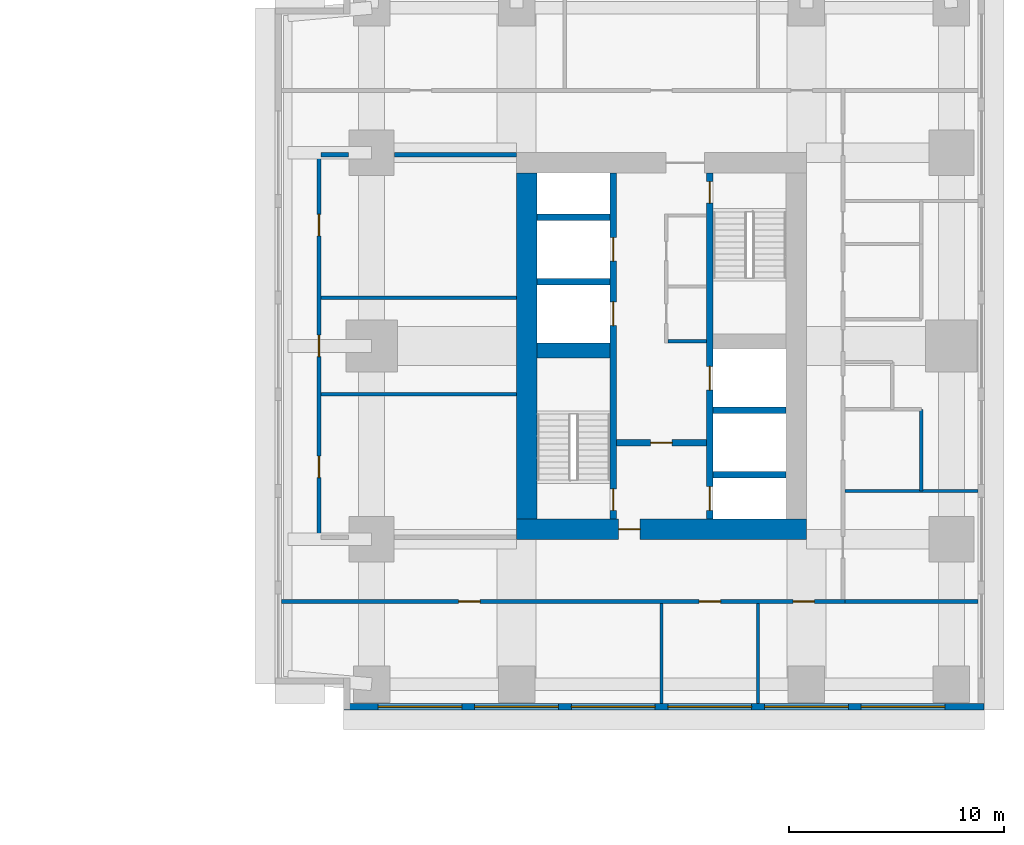
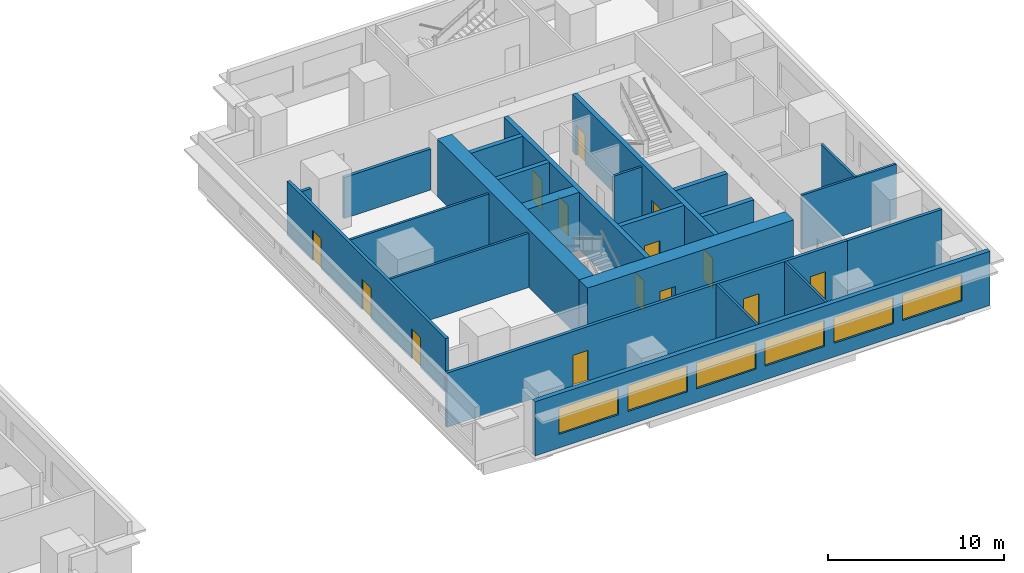
# One storey, part 6 of 11: 23 walls, 14 doors, 6 windows, 20 openings.
"""IFC4 building model written with IfcOpenShell, lengths in metres."""

from ifc_helpers import new_model, si_unit, direction, frame, frame_2d, origin, place, context, subcontext, project, spatial, rectangle, extrude, material, layer, layer_set, type_object, element, fill, save


model = new_model("IFC4")

# Units and contexts
model_context = context("Model", 3, precision=1e-05, world=origin(), true_north=direction((0.0, 1.0)))
body_context = subcontext(model_context, "Body", "Model", "MODEL_VIEW")
ifc_project = project(units=[si_unit("LENGTHUNIT", "METRE"), si_unit("AREAUNIT", "SQUARE_METRE"), si_unit("VOLUMEUNIT", "CUBIC_METRE"), si_unit("PLANEANGLEUNIT", "RADIAN"), si_unit("MASSUNIT", "GRAM", prefix="KILO")], contexts=[model_context])

# Site, building, storey
site_placement = place(None, origin())
site = spatial("IfcSite", under=ifc_project, at=site_placement, CompositionType="ELEMENT")
building_placement = place(site_placement, origin())
building = spatial("IfcBuilding", under=site, at=building_placement, Name="Namib Vertical Campus", CompositionType="ELEMENT")
storey_placement = place(building_placement, frame((0.0, 0.0, 97.0)))
storey = spatial("IfcBuildingStorey", under=building, at=storey_placement, Name="L22", CompositionType="ELEMENT", Elevation=97.0)

# Wall, openings, doors
ifc_material_1 = material(Name="Concrete C60/75", Category="concrete")
ifc_layer_1 = layer(ifc_material_1, 0.300048828125)
ifc_layer_set_1 = layer_set([ifc_layer_1], Name="Concrete C60/75")
wall_type_1 = type_object("IfcWallType", Name="Core inner wall 300", PredefinedType="SHEAR", material=ifc_layer_set_1)
wall_1_placement = place(storey_placement, frame((78.75, 12.199951171875, 0.0), z_axis=(0.0, 0.0, 1.0), x_axis=(0.0, 1.0, 0.0)))
wall_1 = element("IfcWall", 1, at=wall_1_placement, inside=storey, type_object=wall_type_1, Name="Core inner wall B L22 W1", PredefinedType="SHEAR", context=body_context, shape_type="SweptSolid", body=[
    extrude(rectangle(XDim=16.10009765625, YDim=0.300048828125, at=frame_2d((8.050048828125, 0.0))), origin(), (0.0, 0.0, 1.0), 4.0),
])
opening_1_placement = place(wall_1_placement, frame((0.39990234375, 0.0, 0.0)))
opening_1 = element("IfcOpeningElement", 2, at=opening_1_placement, cuts=wall_1, Name="Opening FD1", PredefinedType="OPENING", context=body_context, shape_type="SweptSolid", body=[
    extrude(rectangle(XDim=1.0, YDim=2.10009765625, at=frame_2d((0.5, 1.050048828125))), frame((0.0, 0.159912109375, 0.0), z_axis=(0.0, -1.0, 0.0), x_axis=(1.0, 0.0, 0.0)), (0.0, 0.0, 1.0), 0.320068359375),
])
opening_2_placement = place(wall_1_placement, frame((9.0, 0.0, 0.0)))
opening_2 = element("IfcOpeningElement", 3, at=opening_2_placement, cuts=wall_1, Name="Opening LD1", PredefinedType="OPENING", context=body_context, shape_type="SweptSolid", body=[
    extrude(rectangle(XDim=1.10009765625, YDim=2.10009765625, at=frame_2d((0.550048828125, 1.050048828125))), frame((0.0, 0.159912109375, 0.0), z_axis=(0.0, -1.0, 0.0), x_axis=(1.0, 0.0, 0.0)), (0.0, 0.0, 1.0), 0.320068359375),
])
opening_3_placement = place(wall_1_placement, frame((12.0, 0.0, 0.0)))
opening_3 = element("IfcOpeningElement", 4, at=opening_3_placement, cuts=wall_1, Name="Opening LD1", PredefinedType="OPENING", context=body_context, shape_type="SweptSolid", body=[
    extrude(rectangle(XDim=1.10009765625, YDim=2.10009765625, at=frame_2d((0.550048828125, 1.050048828125))), frame((0.0, 0.159912109375, 0.0), z_axis=(0.0, -1.0, 0.0), x_axis=(1.0, 0.0, 0.0)), (0.0, 0.0, 1.0), 0.320068359375),
])
ifc_material_2 = material(Name="Steel fire door", Category="steel")
door_type_1 = type_object("IfcDoorType", Name="Fire door 1000x2100", OperationType="SINGLE_SWING_RIGHT", PredefinedType="DOOR", material=ifc_material_2)
door_1_placement = place(opening_1_placement, origin())
door_1 = element("IfcDoor", 5, at=door_1_placement, inside=storey, type_object=door_type_1, Name="Stair door FD1 B L22 S1", OperationType="SINGLE_SWING_LEFT", OverallHeight=2.10009765625, OverallWidth=1.0, PredefinedType="DOOR", context=body_context, shape_type="SweptSolid", body=[
    extrude(rectangle(XDim=1.0, YDim=2.10009765625, at=frame_2d((0.5, 1.050048828125))), frame((0.0, 0.02490234375, 0.0), z_axis=(0.0, -1.0, 0.0), x_axis=(1.0, 0.0, 0.0)), (0.0, 0.0, 1.0), 0.050048828125),
])
fill(opening_1, door_1)
ifc_material_3 = material(Name="Stainless steel lift door", Category="steel")
door_type_2 = type_object("IfcDoorType", Name="Lift landing door 1100x2100", OperationType="DOUBLE_DOOR_SLIDING", PredefinedType="DOOR", material=ifc_material_3)
door_2_placement = place(opening_2_placement, origin())
door_2 = element("IfcDoor", 6, at=door_2_placement, inside=storey, type_object=door_type_2, Name="Lift landing door LD1 B-P1 L22", OperationType="DOUBLE_DOOR_SLIDING", OverallHeight=2.10009765625, OverallWidth=1.10009765625, PredefinedType="DOOR", context=body_context, shape_type="SweptSolid", body=[
    extrude(rectangle(XDim=1.10009765625, YDim=2.10009765625, at=frame_2d((0.550048828125, 1.050048828125))), frame((0.0, 0.02490234375, 0.0), z_axis=(0.0, -1.0, 0.0), x_axis=(1.0, 0.0, 0.0)), (0.0, 0.0, 1.0), 0.050048828125),
])
fill(opening_2, door_2)
door_3_placement = place(opening_3_placement, origin())
door_3 = element("IfcDoor", 7, at=door_3_placement, inside=storey, type_object=door_type_2, Name="Lift landing door LD1 B-P2 L22", OperationType="DOUBLE_DOOR_SLIDING", OverallHeight=2.10009765625, OverallWidth=1.10009765625, PredefinedType="DOOR", context=body_context, shape_type="SweptSolid", body=[
    extrude(rectangle(XDim=1.10009765625, YDim=2.10009765625, at=frame_2d((0.550048828125, 1.050048828125))), frame((0.0, 0.02490234375, 0.0), z_axis=(0.0, -1.0, 0.0), x_axis=(1.0, 0.0, 0.0)), (0.0, 0.0, 1.0), 0.050048828125),
])
fill(opening_3, door_3)

wall_2_placement = place(storey_placement, frame((83.25, 12.199951171875, 0.0), z_axis=(0.0, 0.0, 1.0), x_axis=(0.0, 1.0, 0.0)))
wall_2 = element("IfcWall", 8, at=wall_2_placement, inside=storey, type_object=wall_type_1, Name="Core inner wall B L22 W2", PredefinedType="SHEAR", context=body_context, shape_type="SweptSolid", body=[
    extrude(rectangle(XDim=16.10009765625, YDim=0.300048828125, at=frame_2d((8.050048828125, 0.0))), origin(), (0.0, 0.0, 1.0), 4.0),
])
opening_4_placement = place(wall_2_placement, frame((14.699951171875, 0.0, 0.0)))
opening_4 = element("IfcOpeningElement", 9, at=opening_4_placement, cuts=wall_2, Name="Opening FD1", PredefinedType="OPENING", context=body_context, shape_type="SweptSolid", body=[
    extrude(rectangle(XDim=1.0, YDim=2.10009765625, at=frame_2d((0.5, 1.050048828125))), frame((0.0, 0.159912109375, 0.0), z_axis=(0.0, -1.0, 0.0), x_axis=(1.0, 0.0, 0.0)), (0.0, 0.0, 1.0), 0.320068359375),
])
opening_5_placement = place(wall_2_placement, frame((0.39990234375, 0.0, 0.0)))
opening_5 = element("IfcOpeningElement", 10, at=opening_5_placement, cuts=wall_2, Name="Opening LD1", PredefinedType="OPENING", context=body_context, shape_type="SweptSolid", body=[
    extrude(rectangle(XDim=1.10009765625, YDim=2.10009765625, at=frame_2d((0.550048828125, 1.050048828125))), frame((0.0, 0.159912109375, 0.0), z_axis=(0.0, -1.0, 0.0), x_axis=(1.0, 0.0, 0.0)), (0.0, 0.0, 1.0), 0.320068359375),
])
opening_6_placement = place(wall_2_placement, frame((6.0, 0.0, 0.0)))
opening_6 = element("IfcOpeningElement", 11, at=opening_6_placement, cuts=wall_2, Name="Opening LD1", PredefinedType="OPENING", context=body_context, shape_type="SweptSolid", body=[
    extrude(rectangle(XDim=1.10009765625, YDim=2.10009765625, at=frame_2d((0.550048828125, 1.050048828125))), frame((0.0, 0.159912109375, 0.0), z_axis=(0.0, -1.0, 0.0), x_axis=(1.0, 0.0, 0.0)), (0.0, 0.0, 1.0), 0.320068359375),
])
door_4_placement = place(opening_4_placement, frame((1.0, 0.0, 0.0), z_axis=(0.0, 0.0, 1.0), x_axis=(-1.0, 0.0, 0.0)))
door_4 = element("IfcDoor", 12, at=door_4_placement, inside=storey, type_object=door_type_1, Name="Stair door FD1 B L22 S2", OperationType="SINGLE_SWING_LEFT", OverallHeight=2.10009765625, OverallWidth=1.0, PredefinedType="DOOR", context=body_context, shape_type="SweptSolid", body=[
    extrude(rectangle(XDim=1.0, YDim=2.10009765625, at=frame_2d((0.5, 1.050048828125))), frame((0.0, 0.02490234375, 0.0), z_axis=(0.0, -1.0, 0.0), x_axis=(1.0, 0.0, 0.0)), (0.0, 0.0, 1.0), 0.050048828125),
])
fill(opening_4, door_4)
door_5_placement = place(opening_5_placement, origin())
door_5 = element("IfcDoor", 13, at=door_5_placement, inside=storey, type_object=door_type_2, Name="Lift landing door LD1 B-FL1 L22", OperationType="DOUBLE_DOOR_SLIDING", OverallHeight=2.10009765625, OverallWidth=1.10009765625, PredefinedType="DOOR", context=body_context, shape_type="SweptSolid", body=[
    extrude(rectangle(XDim=1.10009765625, YDim=2.10009765625, at=frame_2d((0.550048828125, 1.050048828125))), frame((0.0, 0.02490234375, 0.0), z_axis=(0.0, -1.0, 0.0), x_axis=(1.0, 0.0, 0.0)), (0.0, 0.0, 1.0), 0.050048828125),
])
fill(opening_5, door_5)
door_6_placement = place(opening_6_placement, origin())
door_6 = element("IfcDoor", 14, at=door_6_placement, inside=storey, type_object=door_type_2, Name="Lift landing door LD1 B-P5 L22", OperationType="DOUBLE_DOOR_SLIDING", OverallHeight=2.10009765625, OverallWidth=1.10009765625, PredefinedType="DOOR", context=body_context, shape_type="SweptSolid", body=[
    extrude(rectangle(XDim=1.10009765625, YDim=2.10009765625, at=frame_2d((0.550048828125, 1.050048828125))), frame((0.0, 0.02490234375, 0.0), z_axis=(0.0, -1.0, 0.0), x_axis=(1.0, 0.0, 0.0)), (0.0, 0.0, 1.0), 0.050048828125),
])
fill(opening_6, door_6)

# Wall, opening, door
wall_3_placement = place(storey_placement, frame((78.89990234375, 15.75, 0.0), z_axis=(0.0, 0.0, 1.0), x_axis=(1.0, 0.0, 0.0)))
wall_3 = element("IfcWall", 15, at=wall_3_placement, inside=storey, type_object=wall_type_1, Name="Core inner wall B L22 W4", PredefinedType="SHEAR", context=body_context, shape_type="SweptSolid", body=[
    extrude(rectangle(XDim=4.2001953125, YDim=0.300048828125, at=frame_2d((2.10009765625, 0.0))), origin(), (0.0, 0.0, 1.0), 4.0),
])
opening_7_placement = place(wall_3_placement, frame((1.60009765625, 0.0, 0.0)))
opening_7 = element("IfcOpeningElement", 16, at=opening_7_placement, cuts=wall_3, Name="Opening FD5", PredefinedType="OPENING", context=body_context, shape_type="SweptSolid", body=[
    extrude(rectangle(XDim=1.0, YDim=2.10009765625, at=frame_2d((0.5, 1.050048828125))), frame((0.0, 0.159912109375, 0.0), z_axis=(0.0, -1.0, 0.0), x_axis=(1.0, 0.0, 0.0)), (0.0, 0.0, 1.0), 0.320068359375),
])
ifc_material_4 = material(Name="Steel fire door", Category="steel")
door_type_3 = type_object("IfcDoorType", Name="Fire door 1000x2100 120 min", OperationType="SINGLE_SWING_RIGHT", PredefinedType="DOOR", material=ifc_material_4)
door_7_placement = place(opening_7_placement, frame((1.0, 0.0, 0.0), z_axis=(0.0, 0.0, 1.0), x_axis=(-1.0, 0.0, 0.0)))
door_7 = element("IfcDoor", 17, at=door_7_placement, inside=storey, type_object=door_type_3, Name="Lobby door FD5 B L22", OperationType="SINGLE_SWING_RIGHT", OverallHeight=2.10009765625, OverallWidth=1.0, PredefinedType="DOOR", context=body_context, shape_type="SweptSolid", body=[
    extrude(rectangle(XDim=1.0, YDim=2.10009765625, at=frame_2d((0.5, 1.050048828125))), frame((0.0, 0.02490234375, 0.0), z_axis=(0.0, -1.0, 0.0), x_axis=(1.0, 0.0, 0.0)), (0.0, 0.0, 1.0), 0.050048828125),
])
fill(opening_7, door_7)

# Walls
for number, where, z_axis, x_axis, name in (
    (18, (83.39990234375, 14.25, 0.0), (0.0, 0.0, 1.0), (1.0, 0.0, 0.0), "Core inner wall B L22 W5"),
    (19, (83.39990234375, 17.25, 0.0), (0.0, 0.0, 1.0), (1.0, 0.0, 0.0), "Core inner wall B L22 W6"),
    (20, (75.199951171875, 23.25, 0.0), (0.0, 0.0, 1.0), (1.0, 0.0, 0.0), "Core inner wall B L22 W8"),
    (21, (75.199951171875, 26.25, 0.0), (0.0, 0.0, 1.0), (1.0, 0.0, 0.0), "Core inner wall B L22 W9"),
):
    element("IfcWall", number, at=place(storey_placement, frame(where, z_axis=z_axis, x_axis=x_axis)), inside=storey, type_object=wall_type_1, Name=name, PredefinedType="SHEAR", context=body_context, shape_type="SweptSolid", body=[
        extrude(rectangle(XDim=3.400146484375, YDim=0.300048828125, at=frame_2d((1.7001953125, 0.0))), origin(), (0.0, 0.0, 1.0), 4.0),
    ])
ifc_material_5 = material(Name="Concrete C60/75", Category="concrete")
ifc_layer_2 = layer(ifc_material_5, 0.699951171875)
ifc_layer_set_2 = layer_set([ifc_layer_2], Name="Concrete C60/75")
wall_type_2 = type_object("IfcWallType", Name="Core shear wall 700", PredefinedType="SHEAR", material=ifc_layer_set_2)
wall_4_placement = place(storey_placement, frame((75.199951171875, 20.050048828125, 0.0), z_axis=(0.0, 0.0, 1.0), x_axis=(1.0, 0.0, 0.0)))
element("IfcWall", 22, at=wall_4_placement, inside=storey, type_object=wall_type_2, Name="Core shear wall B L22 W3", PredefinedType="SHEAR", context=body_context, shape_type="SweptSolid", body=[
    extrude(rectangle(XDim=3.400146484375, YDim=0.699951171875, at=frame_2d((1.7001953125, 0.0))), origin(), (0.0, 0.0, 1.0), 4.0),
])

# Wall, opening, door
ifc_material_6 = material(Name="Concrete C60/75", Category="concrete")
ifc_layer_3 = layer(ifc_material_6, 0.949951171875)
ifc_layer_set_3 = layer_set([ifc_layer_3], Name="Concrete C60/75")
wall_type_3 = type_object("IfcWallType", Name="Core wall 950", PredefinedType="SHEAR", material=ifc_layer_set_3)
wall_5_placement = place(storey_placement, frame((74.25, 11.72509765625, 0.0), z_axis=(0.0, 0.0, 1.0), x_axis=(1.0, 0.0, 0.0)))
wall_5 = element("IfcWall", 23, at=wall_5_placement, inside=storey, type_object=wall_type_3, Name="Core wall B L22 1", PredefinedType="SHEAR", context=body_context, shape_type="SweptSolid", body=[
    extrude(rectangle(XDim=13.5, YDim=0.949951171875, at=frame_2d((6.75, 0.0))), origin(), (0.0, 0.0, 1.0), 4.0),
])
opening_8_placement = place(wall_5_placement, frame((4.75, 0.0, 0.0)))
opening_8 = element("IfcOpeningElement", 24, at=opening_8_placement, cuts=wall_5, Name="Opening FD5", PredefinedType="OPENING", context=body_context, shape_type="SweptSolid", body=[
    extrude(rectangle(XDim=1.0, YDim=2.10009765625, at=frame_2d((0.5, 1.050048828125))), frame((0.0, 0.48486328125, 0.0), z_axis=(0.0, -1.0, 0.0), x_axis=(1.0, 0.0, 0.0)), (0.0, 0.0, 1.0), 0.969970703125),
])
door_8_placement = place(opening_8_placement, origin())
door_8 = element("IfcDoor", 25, at=door_8_placement, inside=storey, type_object=door_type_3, Name="Firefighting lobby door FD5 B L22", OperationType="SINGLE_SWING_LEFT", OverallHeight=2.10009765625, OverallWidth=1.0, PredefinedType="DOOR", context=body_context, shape_type="SweptSolid", body=[
    extrude(rectangle(XDim=1.0, YDim=2.10009765625, at=frame_2d((0.5, 1.050048828125))), frame((0.0, 0.02490234375, 0.0), z_axis=(0.0, -1.0, 0.0), x_axis=(1.0, 0.0, 0.0)), (0.0, 0.0, 1.0), 0.050048828125),
])
fill(opening_8, door_8)

# Wall
wall_6_placement = place(storey_placement, frame((74.72509765625, 28.300048828125, 0.0), z_axis=(0.0, 0.0, 1.0), x_axis=(0.0, -1.0, 0.0)))
element("IfcWall", 26, at=wall_6_placement, inside=storey, type_object=wall_type_3, Name="Core wall B L22 4", PredefinedType="SHEAR", context=body_context, shape_type="SweptSolid", body=[
    extrude(rectangle(XDim=16.10009765625, YDim=0.949951171875, at=frame_2d((8.050048828125, 0.0))), origin(), (0.0, 0.0, 1.0), 4.0),
])

# Wall, openings, doors
ifc_material_7 = material(Name="Concrete masonry", Category="masonry")
ifc_layer_4 = layer(ifc_material_7, 0.199951171875)
ifc_layer_set_4 = layer_set([ifc_layer_4], Name="Corridor wall 200")
wall_type_4 = type_object("IfcWallType", Name="Corridor wall 200", PredefinedType="SOLIDWALL", material=ifc_layer_set_4)
wall_7_placement = place(storey_placement, frame((63.300048828125, 8.35009765625, 0.0), z_axis=(0.0, 0.0, 1.0), x_axis=(1.0, 0.0, 0.0)))
wall_7 = element("IfcWall", 27, at=wall_7_placement, inside=storey, type_object=wall_type_4, Name="Corridor wall B L22 CS", PredefinedType="SOLIDWALL", context=body_context, shape_type="SweptSolid", body=[
    extrude(rectangle(XDim=26.25, YDim=0.199951171875, at=frame_2d((13.125, 0.0))), origin(), (0.0, 0.0, 1.0), 3.75),
])
opening_9_placement = place(wall_7_placement, frame((8.25, 0.0, 0.0)))
opening_9 = element("IfcOpeningElement", 28, at=opening_9_placement, cuts=wall_7, Name="Opening CD1", PredefinedType="OPENING", context=body_context, shape_type="SweptSolid", body=[
    extrude(rectangle(XDim=1.0, YDim=2.10009765625, at=frame_2d((0.5, 1.050048828125))), frame((0.0, 0.10986328125, 0.0), z_axis=(0.0, -1.0, 0.0), x_axis=(1.0, 0.0, 0.0)), (0.0, 0.0, 1.0), 0.219970703125),
])
opening_10_placement = place(wall_7_placement, frame((19.449951171875, 0.0, 0.0)))
opening_10 = element("IfcOpeningElement", 29, at=opening_10_placement, cuts=wall_7, Name="Opening CD1", PredefinedType="OPENING", context=body_context, shape_type="SweptSolid", body=[
    extrude(rectangle(XDim=1.0, YDim=2.10009765625, at=frame_2d((0.5, 1.050048828125))), frame((0.0, 0.10986328125, 0.0), z_axis=(0.0, -1.0, 0.0), x_axis=(1.0, 0.0, 0.0)), (0.0, 0.0, 1.0), 0.219970703125),
])
opening_11_placement = place(wall_7_placement, frame((23.824951171875, 0.0, 0.0)))
opening_11 = element("IfcOpeningElement", 30, at=opening_11_placement, cuts=wall_7, Name="Opening CD1", PredefinedType="OPENING", context=body_context, shape_type="SweptSolid", body=[
    extrude(rectangle(XDim=1.0, YDim=2.10009765625, at=frame_2d((0.5, 1.050048828125))), frame((0.0, 0.10986328125, 0.0), z_axis=(0.0, -1.0, 0.0), x_axis=(1.0, 0.0, 0.0)), (0.0, 0.0, 1.0), 0.219970703125),
])
ifc_material_8 = material(Name="Timber fire door leaf", Category="wood")
door_type_4 = type_object("IfcDoorType", Name="Corridor door 1000x2100 20 min", OperationType="SINGLE_SWING_LEFT", PredefinedType="DOOR", material=ifc_material_8)
door_9_placement = place(opening_9_placement, frame((1.0, 0.0, 0.0), z_axis=(0.0, 0.0, 1.0), x_axis=(-1.0, 0.0, 0.0)))
door_9 = element("IfcDoor", 31, at=door_9_placement, inside=storey, type_object=door_type_4, Name="Door CD1 B22-01", OperationType="SINGLE_SWING_LEFT", OverallHeight=2.10009765625, OverallWidth=1.0, PredefinedType="DOOR", context=body_context, shape_type="SweptSolid", body=[
    extrude(rectangle(XDim=1.0, YDim=2.10009765625, at=frame_2d((0.5, 1.050048828125))), frame((0.0, 0.02490234375, 0.0), z_axis=(0.0, -1.0, 0.0), x_axis=(1.0, 0.0, 0.0)), (0.0, 0.0, 1.0), 0.050048828125),
])
fill(opening_9, door_9)
door_10_placement = place(opening_10_placement, frame((1.0, 0.0, 0.0), z_axis=(0.0, 0.0, 1.0), x_axis=(-1.0, 0.0, 0.0)))
door_10 = element("IfcDoor", 32, at=door_10_placement, inside=storey, type_object=door_type_4, Name="Door CD1 B22-02", OperationType="SINGLE_SWING_RIGHT", OverallHeight=2.10009765625, OverallWidth=1.0, PredefinedType="DOOR", context=body_context, shape_type="SweptSolid", body=[
    extrude(rectangle(XDim=1.0, YDim=2.10009765625, at=frame_2d((0.5, 1.050048828125))), frame((0.0, 0.02490234375, 0.0), z_axis=(0.0, -1.0, 0.0), x_axis=(1.0, 0.0, 0.0)), (0.0, 0.0, 1.0), 0.050048828125),
])
fill(opening_10, door_10)
door_11_placement = place(opening_11_placement, frame((1.0, 0.0, 0.0), z_axis=(0.0, 0.0, 1.0), x_axis=(-1.0, 0.0, 0.0)))
door_11 = element("IfcDoor", 33, at=door_11_placement, inside=storey, type_object=door_type_4, Name="Door CD1 B22-03", OperationType="SINGLE_SWING_RIGHT", OverallHeight=2.10009765625, OverallWidth=1.0, PredefinedType="DOOR", context=body_context, shape_type="SweptSolid", body=[
    extrude(rectangle(XDim=1.0, YDim=2.10009765625, at=frame_2d((0.5, 1.050048828125))), frame((0.0, 0.02490234375, 0.0), z_axis=(0.0, -1.0, 0.0), x_axis=(1.0, 0.0, 0.0)), (0.0, 0.0, 1.0), 0.050048828125),
])
fill(opening_11, door_11)

wall_8_placement = place(storey_placement, frame((65.050048828125, 29.25, 0.0), z_axis=(0.0, 0.0, 1.0), x_axis=(0.0, -1.0, 0.0)))
wall_8 = element("IfcWall", 34, at=wall_8_placement, inside=storey, type_object=wall_type_4, Name="Corridor wall B L22 CG", PredefinedType="SOLIDWALL", context=body_context, shape_type="SweptSolid", body=[
    extrude(rectangle(XDim=18.0, YDim=0.199951171875, at=frame_2d((9.0, 0.0))), origin(), (0.0, 0.0, 1.0), 3.75),
])
opening_12_placement = place(wall_8_placement, frame((14.125, 0.0, 0.0)))
opening_12 = element("IfcOpeningElement", 35, at=opening_12_placement, cuts=wall_8, Name="Opening CD1", PredefinedType="OPENING", context=body_context, shape_type="SweptSolid", body=[
    extrude(rectangle(XDim=1.0, YDim=2.10009765625, at=frame_2d((0.5, 1.050048828125))), frame((0.0, 0.10986328125, 0.0), z_axis=(0.0, -1.0, 0.0), x_axis=(1.0, 0.0, 0.0)), (0.0, 0.0, 1.0), 0.219970703125),
])
opening_13_placement = place(wall_8_placement, frame((8.5, 0.0, 0.0)))
opening_13 = element("IfcOpeningElement", 36, at=opening_13_placement, cuts=wall_8, Name="Opening CD1", PredefinedType="OPENING", context=body_context, shape_type="SweptSolid", body=[
    extrude(rectangle(XDim=1.0, YDim=2.10009765625, at=frame_2d((0.5, 1.050048828125))), frame((0.0, 0.10986328125, 0.0), z_axis=(0.0, -1.0, 0.0), x_axis=(1.0, 0.0, 0.0)), (0.0, 0.0, 1.0), 0.219970703125),
])
opening_14_placement = place(wall_8_placement, frame((2.875, 0.0, 0.0)))
opening_14 = element("IfcOpeningElement", 37, at=opening_14_placement, cuts=wall_8, Name="Opening CD1", PredefinedType="OPENING", context=body_context, shape_type="SweptSolid", body=[
    extrude(rectangle(XDim=1.0, YDim=2.10009765625, at=frame_2d((0.5, 1.050048828125))), frame((0.0, 0.10986328125, 0.0), z_axis=(0.0, -1.0, 0.0), x_axis=(1.0, 0.0, 0.0)), (0.0, 0.0, 1.0), 0.219970703125),
])
door_12_placement = place(opening_12_placement, origin())
door_12 = element("IfcDoor", 38, at=door_12_placement, inside=storey, type_object=door_type_4, Name="Door CD1 B22-14", OperationType="SINGLE_SWING_LEFT", OverallHeight=2.10009765625, OverallWidth=1.0, PredefinedType="DOOR", context=body_context, shape_type="SweptSolid", body=[
    extrude(rectangle(XDim=1.0, YDim=2.10009765625, at=frame_2d((0.5, 1.050048828125))), frame((0.0, 0.02490234375, 0.0), z_axis=(0.0, -1.0, 0.0), x_axis=(1.0, 0.0, 0.0)), (0.0, 0.0, 1.0), 0.050048828125),
])
fill(opening_12, door_12)
door_13_placement = place(opening_13_placement, origin())
door_13 = element("IfcDoor", 39, at=door_13_placement, inside=storey, type_object=door_type_4, Name="Door CD1 B22-15", OperationType="SINGLE_SWING_LEFT", OverallHeight=2.10009765625, OverallWidth=1.0, PredefinedType="DOOR", context=body_context, shape_type="SweptSolid", body=[
    extrude(rectangle(XDim=1.0, YDim=2.10009765625, at=frame_2d((0.5, 1.050048828125))), frame((0.0, 0.02490234375, 0.0), z_axis=(0.0, -1.0, 0.0), x_axis=(1.0, 0.0, 0.0)), (0.0, 0.0, 1.0), 0.050048828125),
])
fill(opening_13, door_13)
door_14_placement = place(opening_14_placement, origin())
door_14 = element("IfcDoor", 40, at=door_14_placement, inside=storey, type_object=door_type_4, Name="Door CD1 B22-16", OperationType="SINGLE_SWING_LEFT", OverallHeight=2.10009765625, OverallWidth=1.0, PredefinedType="DOOR", context=body_context, shape_type="SweptSolid", body=[
    extrude(rectangle(XDim=1.0, YDim=2.10009765625, at=frame_2d((0.5, 1.050048828125))), frame((0.0, 0.02490234375, 0.0), z_axis=(0.0, -1.0, 0.0), x_axis=(1.0, 0.0, 0.0)), (0.0, 0.0, 1.0), 0.050048828125),
])
fill(opening_14, door_14)

# Walls
wall_9_placement = place(storey_placement, frame((65.14990234375, 29.14990234375, 0.0), z_axis=(0.0, 0.0, 1.0), x_axis=(1.0, 0.0, 0.0)))
element("IfcWall", 41, at=wall_9_placement, inside=storey, type_object=wall_type_4, Name="Corridor wall B L22 GN", PredefinedType="SOLIDWALL", context=body_context, shape_type="SweptSolid", body=[
    extrude(rectangle(XDim=1.280029296875, YDim=0.199951171875, at=frame_2d((0.64013671875, 0.0))), origin(), (0.0, 0.0, 1.0), 2.85009765625),
])
wall_10_placement = place(storey_placement, frame((68.570068359375, 29.14990234375, 0.0), z_axis=(0.0, 0.0, 1.0), x_axis=(1.0, 0.0, 0.0)))
element("IfcWall", 42, at=wall_10_placement, inside=storey, type_object=wall_type_4, Name="Corridor wall B L22 GN", PredefinedType="SOLIDWALL", context=body_context, shape_type="SweptSolid", body=[
    extrude(rectangle(XDim=5.679931640625, YDim=0.199951171875, at=frame_2d((2.83984375, 0.0))), origin(), (0.0, 0.0, 1.0), 2.85009765625),
])
wall_11_placement = place(storey_placement, frame((89.550048828125, 8.35009765625, 0.0), z_axis=(0.0, 0.0, 1.0), x_axis=(1.0, 0.0, 0.0)))
element("IfcWall", 43, at=wall_11_placement, inside=storey, type_object=wall_type_4, Name="Partition B L22 BSE", PredefinedType="SOLIDWALL", context=body_context, shape_type="SweptSolid", body=[
    extrude(rectangle(XDim=6.199951171875, YDim=0.199951171875, at=frame_2d((3.10009765625, 0.0))), origin(), (0.0, 0.0, 1.0), 3.75),
])

# Wall, openings, windows
ifc_material_9 = material(Name="Concrete C40/50", Category="concrete")
ifc_layer_5 = layer(ifc_material_9, 0.300048828125)
ifc_layer_set_5 = layer_set([ifc_layer_5], Name="Concrete C40/50")
wall_type_5 = type_object("IfcWallType", Name="External wall 300 board-marked concrete", PredefinedType="STANDARD", material=ifc_layer_set_5)
wall_12_placement = place(storey_placement, frame((66.219970703125, 3.449951171875, 0.0), z_axis=(0.0, 0.0, 1.0), x_axis=(1.0, 0.0, 0.0)))
wall_12 = element("IfcWall", 44, at=wall_12_placement, inside=storey, type_object=wall_type_5, Name="External wall L22 F03", PredefinedType="STANDARD", context=body_context, shape_type="SweptSolid", body=[
    extrude(rectangle(XDim=29.81005859375, YDim=0.300048828125, at=frame_2d((14.905029296875, 0.0))), origin(), (0.0, 0.0, 1.0), 3.75),
])
opening_15_placement = place(wall_12_placement, frame((1.580078125, 0.0, 0.949951171875)))
opening_15 = element("IfcOpeningElement", 45, at=opening_15_placement, cuts=wall_12, Name="Opening W3", PredefinedType="OPENING", context=body_context, shape_type="SweptSolid", body=[
    extrude(rectangle(XDim=3.89990234375, YDim=1.800048828125, at=frame_2d((1.949951171875, 0.89990234375))), frame((0.0, 0.159912109375, 0.0), z_axis=(0.0, -1.0, 0.0), x_axis=(1.0, 0.0, 0.0)), (0.0, 0.0, 1.0), 0.320068359375),
])
opening_16_placement = place(wall_12_placement, frame((6.080078125, 0.0, 0.949951171875)))
opening_16 = element("IfcOpeningElement", 46, at=opening_16_placement, cuts=wall_12, Name="Opening W3", PredefinedType="OPENING", context=body_context, shape_type="SweptSolid", body=[
    extrude(rectangle(XDim=3.89990234375, YDim=1.800048828125, at=frame_2d((1.949951171875, 0.89990234375))), frame((0.0, 0.159912109375, 0.0), z_axis=(0.0, -1.0, 0.0), x_axis=(1.0, 0.0, 0.0)), (0.0, 0.0, 1.0), 0.320068359375),
])
opening_17_placement = place(wall_12_placement, frame((10.580078125, 0.0, 0.949951171875)))
opening_17 = element("IfcOpeningElement", 47, at=opening_17_placement, cuts=wall_12, Name="Opening W3", PredefinedType="OPENING", context=body_context, shape_type="SweptSolid", body=[
    extrude(rectangle(XDim=3.89990234375, YDim=1.800048828125, at=frame_2d((1.949951171875, 0.89990234375))), frame((0.0, 0.159912109375, 0.0), z_axis=(0.0, -1.0, 0.0), x_axis=(1.0, 0.0, 0.0)), (0.0, 0.0, 1.0), 0.320068359375),
])
opening_18_placement = place(wall_12_placement, frame((15.080078125, 0.0, 0.949951171875)))
opening_18 = element("IfcOpeningElement", 48, at=opening_18_placement, cuts=wall_12, Name="Opening W3", PredefinedType="OPENING", context=body_context, shape_type="SweptSolid", body=[
    extrude(rectangle(XDim=3.89990234375, YDim=1.800048828125, at=frame_2d((1.949951171875, 0.89990234375))), frame((0.0, 0.159912109375, 0.0), z_axis=(0.0, -1.0, 0.0), x_axis=(1.0, 0.0, 0.0)), (0.0, 0.0, 1.0), 0.320068359375),
])
opening_19_placement = place(wall_12_placement, frame((19.580078125, 0.0, 0.949951171875)))
opening_19 = element("IfcOpeningElement", 49, at=opening_19_placement, cuts=wall_12, Name="Opening W3", PredefinedType="OPENING", context=body_context, shape_type="SweptSolid", body=[
    extrude(rectangle(XDim=3.89990234375, YDim=1.800048828125, at=frame_2d((1.949951171875, 0.89990234375))), frame((0.0, 0.159912109375, 0.0), z_axis=(0.0, -1.0, 0.0), x_axis=(1.0, 0.0, 0.0)), (0.0, 0.0, 1.0), 0.320068359375),
])
opening_20_placement = place(wall_12_placement, frame((24.080078125, 0.0, 0.949951171875)))
opening_20 = element("IfcOpeningElement", 50, at=opening_20_placement, cuts=wall_12, Name="Opening W3", PredefinedType="OPENING", context=body_context, shape_type="SweptSolid", body=[
    extrude(rectangle(XDim=3.89990234375, YDim=1.800048828125, at=frame_2d((1.949951171875, 0.89990234375))), frame((0.0, 0.159912109375, 0.0), z_axis=(0.0, -1.0, 0.0), x_axis=(1.0, 0.0, 0.0)), (0.0, 0.0, 1.0), 0.320068359375),
])
ifc_material_10 = material(Name="Dark tinted glass in black aluminium frame", Category="aluminium")
window_type = type_object("IfcWindowType", Name="Ribbon window 3900x1800", PartitioningType="SINGLE_PANEL", PredefinedType="WINDOW", material=ifc_material_10)
window_1_placement = place(opening_15_placement, origin())
window_1 = element("IfcWindow", 51, at=window_1_placement, inside=storey, type_object=window_type, Name="Window W3 L22 F03-1", OverallHeight=1.800048828125, OverallWidth=3.89990234375, PartitioningType="SINGLE_PANEL", PredefinedType="WINDOW", context=body_context, shape_type="SweptSolid", body=[
    extrude(rectangle(XDim=3.89990234375, YDim=1.800048828125, at=frame_2d((1.949951171875, 0.89990234375))), frame((0.0, 0.030029296875, 0.0), z_axis=(0.0, -1.0, 0.0), x_axis=(1.0, 0.0, 0.0)), (0.0, 0.0, 1.0), 0.06005859375),
])
fill(opening_15, window_1)
window_2_placement = place(opening_16_placement, origin())
window_2 = element("IfcWindow", 52, at=window_2_placement, inside=storey, type_object=window_type, Name="Window W3 L22 F03-2", OverallHeight=1.800048828125, OverallWidth=3.89990234375, PartitioningType="SINGLE_PANEL", PredefinedType="WINDOW", context=body_context, shape_type="SweptSolid", body=[
    extrude(rectangle(XDim=3.89990234375, YDim=1.800048828125, at=frame_2d((1.949951171875, 0.89990234375))), frame((0.0, 0.030029296875, 0.0), z_axis=(0.0, -1.0, 0.0), x_axis=(1.0, 0.0, 0.0)), (0.0, 0.0, 1.0), 0.06005859375),
])
fill(opening_16, window_2)
window_3_placement = place(opening_17_placement, origin())
window_3 = element("IfcWindow", 53, at=window_3_placement, inside=storey, type_object=window_type, Name="Window W3 L22 F03-3", OverallHeight=1.800048828125, OverallWidth=3.89990234375, PartitioningType="SINGLE_PANEL", PredefinedType="WINDOW", context=body_context, shape_type="SweptSolid", body=[
    extrude(rectangle(XDim=3.89990234375, YDim=1.800048828125, at=frame_2d((1.949951171875, 0.89990234375))), frame((0.0, 0.030029296875, 0.0), z_axis=(0.0, -1.0, 0.0), x_axis=(1.0, 0.0, 0.0)), (0.0, 0.0, 1.0), 0.06005859375),
])
fill(opening_17, window_3)
window_4_placement = place(opening_18_placement, origin())
window_4 = element("IfcWindow", 54, at=window_4_placement, inside=storey, type_object=window_type, Name="Window W3 L22 F03-4", OverallHeight=1.800048828125, OverallWidth=3.89990234375, PartitioningType="SINGLE_PANEL", PredefinedType="WINDOW", context=body_context, shape_type="SweptSolid", body=[
    extrude(rectangle(XDim=3.89990234375, YDim=1.800048828125, at=frame_2d((1.949951171875, 0.89990234375))), frame((0.0, 0.030029296875, 0.0), z_axis=(0.0, -1.0, 0.0), x_axis=(1.0, 0.0, 0.0)), (0.0, 0.0, 1.0), 0.06005859375),
])
fill(opening_18, window_4)
window_5_placement = place(opening_19_placement, origin())
window_5 = element("IfcWindow", 55, at=window_5_placement, inside=storey, type_object=window_type, Name="Window W3 L22 F03-5", OverallHeight=1.800048828125, OverallWidth=3.89990234375, PartitioningType="SINGLE_PANEL", PredefinedType="WINDOW", context=body_context, shape_type="SweptSolid", body=[
    extrude(rectangle(XDim=3.89990234375, YDim=1.800048828125, at=frame_2d((1.949951171875, 0.89990234375))), frame((0.0, 0.030029296875, 0.0), z_axis=(0.0, -1.0, 0.0), x_axis=(1.0, 0.0, 0.0)), (0.0, 0.0, 1.0), 0.06005859375),
])
fill(opening_19, window_5)
window_6_placement = place(opening_20_placement, origin())
window_6 = element("IfcWindow", 56, at=window_6_placement, inside=storey, type_object=window_type, Name="Window W3 L22 F03-6", OverallHeight=1.800048828125, OverallWidth=3.89990234375, PartitioningType="SINGLE_PANEL", PredefinedType="WINDOW", context=body_context, shape_type="SweptSolid", body=[
    extrude(rectangle(XDim=3.89990234375, YDim=1.800048828125, at=frame_2d((1.949951171875, 0.89990234375))), frame((0.0, 0.030029296875, 0.0), z_axis=(0.0, -1.0, 0.0), x_axis=(1.0, 0.0, 0.0)), (0.0, 0.0, 1.0), 0.06005859375),
])
fill(opening_20, window_6)

# Walls
ifc_material_11 = material(Name="Gypsum board on steel studs", Category="steel")
ifc_layer_6 = layer(ifc_material_11, 0.14990234375)
ifc_layer_set_6 = layer_set([ifc_layer_6], Name="Gypsum board on steel studs")
wall_type_6 = type_object("IfcWallType", Name="Partition 150", PredefinedType="PARTITIONING", material=ifc_layer_set_6)
wall_13_placement = place(storey_placement, frame((81.300048828125, 20.47509765625, 0.0), z_axis=(0.0, 0.0, 1.0), x_axis=(1.0, 0.0, 0.0)))
element("IfcWall", 57, at=wall_13_placement, inside=storey, type_object=wall_type_6, Name="Partition B L22 Comms room and Store end 1", PredefinedType="PARTITIONING", context=body_context, shape_type="SweptSolid", body=[
    extrude(rectangle(XDim=1.800048828125, YDim=0.14990234375, at=frame_2d((0.89990234375, 0.0))), origin(), (0.0, 0.0, 1.0), 3.75),
])
for number, where, z_axis, x_axis, name in (
    (58, (81.0, 3.60009765625, 0.0), (0.0, 0.0, 1.0), (0.0, 1.0, 0.0), "Partition B L22 PS1"),
    (59, (85.5, 3.60009765625, 0.0), (0.0, 0.0, 1.0), (0.0, 1.0, 0.0), "Partition B L22 PS2"),
):
    element("IfcWall", number, at=place(storey_placement, frame(where, z_axis=z_axis, x_axis=x_axis)), inside=storey, type_object=wall_type_6, Name=name, PredefinedType="PARTITIONING", context=body_context, shape_type="SweptSolid", body=[
        extrude(rectangle(XDim=4.64990234375, YDim=0.14990234375, at=frame_2d((2.324951171875, 0.0))), origin(), (0.0, 0.0, 1.0), 3.75),
    ])
wall_14_placement = place(storey_placement, frame((89.550048828125, 13.5, 0.0), z_axis=(0.0, 0.0, 1.0), x_axis=(1.0, 0.0, 0.0)))
element("IfcWall", 60, at=wall_14_placement, inside=storey, type_object=wall_type_6, Name="Partition B L22 PE1", PredefinedType="PARTITIONING", context=body_context, shape_type="SweptSolid", body=[
    extrude(rectangle(XDim=6.199951171875, YDim=0.14990234375, at=frame_2d((3.10009765625, 0.0))), origin(), (0.0, 0.0, 1.0), 3.75),
])
for number, where, z_axis, x_axis, name in (
    (61, (65.14990234375, 18.0, 0.0), (0.0, 0.0, 1.0), (1.0, 0.0, 0.0), "Partition B L22 PW1"),
    (62, (65.14990234375, 22.5, 0.0), (0.0, 0.0, 1.0), (1.0, 0.0, 0.0), "Partition B L22 PW2"),
):
    element("IfcWall", number, at=place(storey_placement, frame(where, z_axis=z_axis, x_axis=x_axis)), inside=storey, type_object=wall_type_6, Name=name, PredefinedType="PARTITIONING", context=body_context, shape_type="SweptSolid", body=[
        extrude(rectangle(XDim=9.10009765625, YDim=0.14990234375, at=frame_2d((4.550048828125, 0.0))), origin(), (0.0, 0.0, 1.0), 3.75),
    ])
wall_15_placement = place(storey_placement, frame((93.10009765625, 13.5, 0.0), z_axis=(0.0, 0.0, 1.0), x_axis=(0.0, 1.0, 0.0)))
element("IfcWall", 63, at=wall_15_placement, inside=storey, type_object=wall_type_6, Name="Partition B L22 WB1", PredefinedType="PARTITIONING", context=body_context, shape_type="SweptSolid", body=[
    extrude(rectangle(XDim=3.800048828125, YDim=0.14990234375, at=frame_2d((1.89990234375, 0.0))), origin(), (0.0, 0.0, 1.0), 3.75),
])

save(model, "model.ifc")
